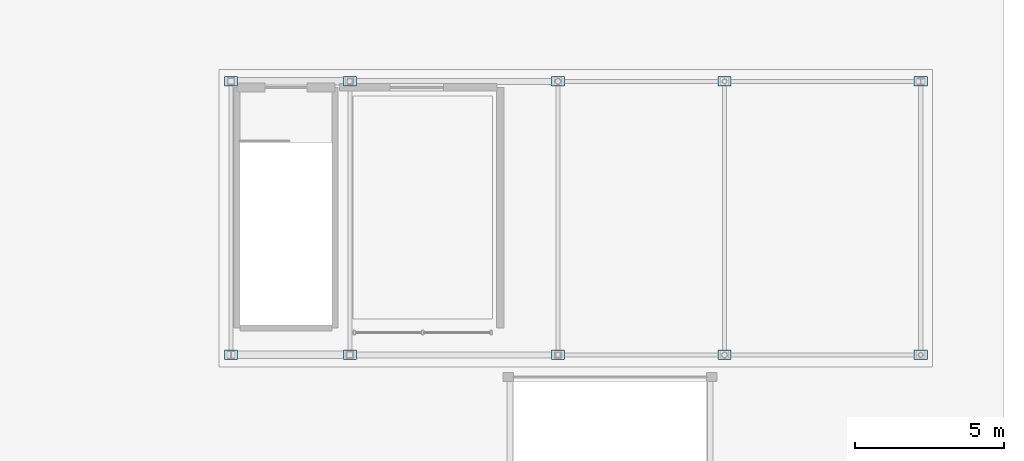
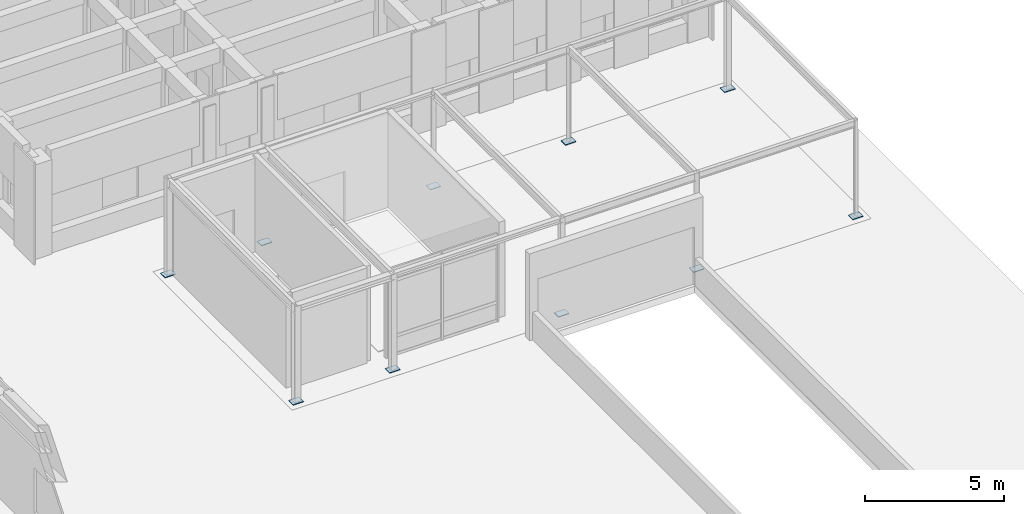
# One storey, part 88 of 135: 10 plates.
"""IFC4 building model written with IfcOpenShell, lengths in metres."""

from ifc_helpers import new_model, si_unit, direction, frame, origin, origin_2d, place, context, subcontext, project, spatial, rectangle, extrude, material, layer, layer_set, type_object, element, save


model = new_model("IFC4")

# Units and contexts
model_context = context("Model", 3, precision=1e-05, world=origin(), true_north=direction((0.0, 1.0)))
body_context = subcontext(model_context, "Body", "Model", "MODEL_VIEW")
ifc_project = project(units=[si_unit("LENGTHUNIT", "METRE"), si_unit("AREAUNIT", "SQUARE_METRE"), si_unit("VOLUMEUNIT", "CUBIC_METRE"), si_unit("PLANEANGLEUNIT", "RADIAN"), si_unit("MASSUNIT", "GRAM", prefix="KILO")], contexts=[model_context])

# Site, building, storey
site_placement = place(None, origin())
site = spatial("IfcSite", under=ifc_project, at=site_placement, CompositionType="ELEMENT")
building_placement = place(site_placement, origin())
building = spatial("IfcBuilding", under=site, at=building_placement, Name="Kiranvali Square Residences", CompositionType="ELEMENT")
storey_placement = place(building_placement, origin())
storey = spatial("IfcBuildingStorey", under=building, at=storey_placement, Name="L00", CompositionType="ELEMENT", Elevation=0.0)

# Plates
ifc_material = material(Name="Structural steel E350", Category="steel")
ifc_layer = layer(ifc_material, 0.028076171875)
ifc_layer_set = layer_set([ifc_layer], Name="Structural steel E350")
plate_type = type_object("IfcPlateType", Name="PLT-BASE-28", PredefinedType="USERDEFINED", material=ifc_layer_set)
for number, where, z_axis, x_axis, name in (
    (1, (142.0, 55.39990234375, 0.0), (0.0, 0.0, 1.0), (1.0, 0.0, 0.0), "East Street Ramp and Arcade Portal column baseplate 1.1"),
    (2, (142.0, 64.60009765625, 0.0), (0.0, 0.0, 1.0), (1.0, 0.0, 0.0), "East Street Ramp and Arcade Portal column baseplate 1.2"),
    (3, (146.0, 55.39990234375, 0.0), (0.0, 0.0, 1.0), (1.0, 0.0, 0.0), "East Street Ramp and Arcade Portal column baseplate 2.1"),
    (4, (146.0, 64.60009765625, 0.0), (0.0, 0.0, 1.0), (1.0, 0.0, 0.0), "East Street Ramp and Arcade Portal column baseplate 2.2"),
    (5, (153.0, 55.39990234375, 0.0), (0.0, 0.0, 1.0), (1.0, 0.0, 0.0), "East Street Ramp and Arcade Portal column baseplate 3.1"),
    (6, (153.0, 64.60009765625, 0.0), (0.0, 0.0, 1.0), (1.0, 0.0, 0.0), "East Street Ramp and Arcade Portal column baseplate 3.2"),
    (7, (158.60009765625, 55.39990234375, 0.0), (0.0, 0.0, 1.0), (1.0, 0.0, 0.0), "East Street Ramp and Arcade Portal column baseplate 4.1"),
    (8, (158.60009765625, 64.60009765625, 0.0), (0.0, 0.0, 1.0), (1.0, 0.0, 0.0), "East Street Ramp and Arcade Portal column baseplate 4.2"),
    (9, (165.199951171875, 55.39990234375, 0.0), (0.0, 0.0, 1.0), (1.0, 0.0, 0.0), "East Street Ramp and Arcade Portal column baseplate 5.1"),
    (10, (165.199951171875, 64.60009765625, 0.0), (0.0, 0.0, 1.0), (1.0, 0.0, 0.0), "East Street Ramp and Arcade Portal column baseplate 5.2"),
):
    element("IfcPlate", number, at=place(storey_placement, frame(where, z_axis=z_axis, x_axis=x_axis)), inside=storey, type_object=plate_type, Name=name, ObjectType="BASE PLATE", PredefinedType="USERDEFINED", context=body_context, shape_type="SweptSolid", body=[
        extrude(rectangle(XDim=0.43994140625, YDim=0.320068359375, at=origin_2d()), origin(), (0.0, 0.0, 1.0), 0.028076171875),
    ])

save(model, "model.ifc")
